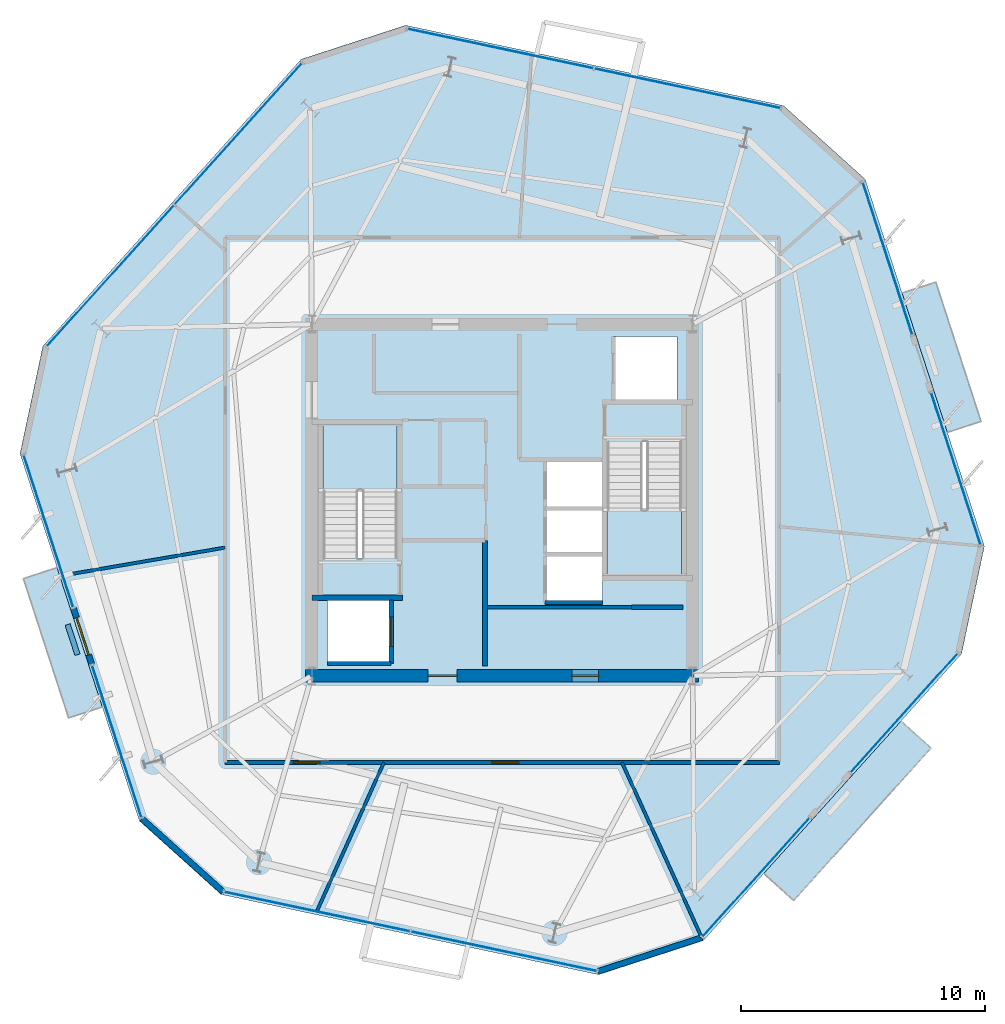
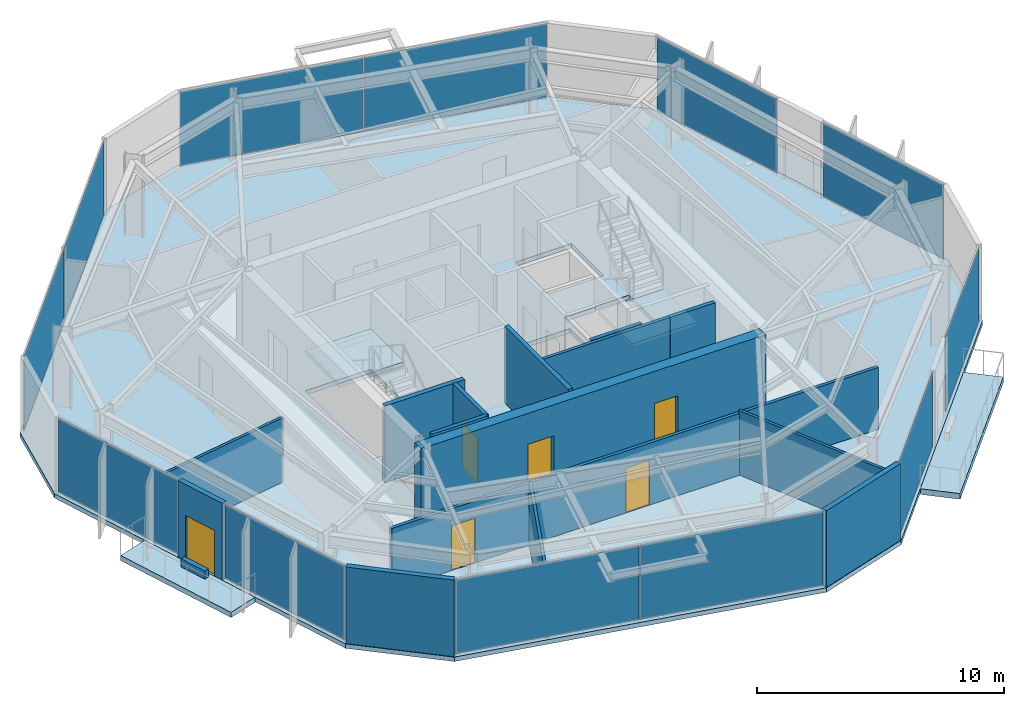
# One storey, part 6 of 11: 16 walls, 12 plates, 6 doors, 6 slabs, 6 openings, 11 elements without a shape of their own.
"""IFC4 building model written with IfcOpenShell, lengths in metres."""

from ifc_helpers import new_model, si_unit, direction, frame, frame_2d, origin, origin_2d, place, context, subcontext, project, spatial, polyline, rectangle, outline, extrude, material, layer, layer_set, type_object, element, fill, aggregate, save


model = new_model("IFC4")

# Units and contexts
model_context = context("Model", 3, precision=1e-05, world=origin(), true_north=direction((0.0, 1.0)))
body_context = subcontext(model_context, "Body", "Model", "MODEL_VIEW")
ifc_project = project(units=[si_unit("LENGTHUNIT", "METRE"), si_unit("AREAUNIT", "SQUARE_METRE"), si_unit("VOLUMEUNIT", "CUBIC_METRE"), si_unit("PLANEANGLEUNIT", "RADIAN"), si_unit("MASSUNIT", "GRAM", prefix="KILO")], contexts=[model_context])

# Site, building, storey
site_placement = place(None, origin())
site = spatial("IfcSite", under=ifc_project, at=site_placement, CompositionType="ELEMENT")
building_placement = place(site_placement, origin())
building = spatial("IfcBuilding", under=site, at=building_placement, Name="Kranzbogen Civic Tower", CompositionType="ELEMENT")
storey_placement = place(building_placement, frame((0.0, 0.0, 216.800048828125)))
storey = spatial("IfcBuildingStorey", under=building, at=storey_placement, Name="L52", CompositionType="ELEMENT", Elevation=216.800048828125)

# Slab
ifc_material_1 = material(Name="Concrete C40/50", Category="concrete")
ifc_layer_1 = layer(ifc_material_1, 0.219970703125, Name="Concrete C40/50")
ifc_layer_set_1 = layer_set([ifc_layer_1], Name="Concrete C40/50")
slab_type_1 = type_object("IfcSlabType", Name="Composite Upper Tower Floor Slab 220 mm", PredefinedType="FLOOR", material=ifc_layer_set_1)
slab_1_placement = place(storey_placement, frame((0.0, 0.0, -0.219970703125)))
element("IfcSlab", 1, at=slab_1_placement, inside=storey, type_object=slab_type_1, Name="L52 tower floor slab", PredefinedType="FLOOR", context=body_context, shape_type="SweptSolid", body=[
    extrude(outline(polyline([(36.52099609375, 41.157958984375), (21.047119140625, 44.447021484375), (16.76708984375, 43.055908203125), (6.181884765625, 31.300048828125), (5.2470703125, 26.89794921875), (10.135009765625, 11.85302734375), (13.47900390625, 8.842041015625), (28.952880859375, 5.552978515625), (33.23291015625, 6.944091796875), (43.818115234375, 18.699951171875), (44.7529296875, 23.10205078125), (39.864990234375, 38.14697265625), (36.52099609375, 41.157958984375)]), holes=[polyline([(17.85009765625, 20.89990234375), (20.449951171875, 20.89990234375), (20.449951171875, 18.300048828125), (17.85009765625, 18.300048828125), (17.85009765625, 20.89990234375)]), polyline([(29.10009765625, 22.699951171875), (29.10009765625, 20.800048828125), (26.75, 20.800048828125), (26.75, 22.699951171875), (29.10009765625, 22.699951171875)]), polyline([(29.10009765625, 24.64990234375), (29.10009765625, 22.77490234375), (26.75, 22.77490234375), (26.75, 24.64990234375), (26.75, 24.675048828125), (26.75, 26.550048828125), (29.10009765625, 26.550048828125), (29.10009765625, 24.675048828125), (29.10009765625, 24.64990234375)]), polyline([(29.300048828125, 27.340087890625), (30.75, 27.340087890625), (30.75, 27.39990234375), (32.35009765625, 27.39990234375), (32.35009765625, 21.89990234375), (29.300048828125, 21.89990234375), (29.300048828125, 27.340087890625)]), polyline([(20.699951171875, 22.659912109375), (19.25, 22.659912109375), (19.25, 22.60009765625), (17.64990234375, 22.60009765625), (17.64990234375, 28.10009765625), (20.699951171875, 28.10009765625), (20.699951171875, 22.659912109375)]), polyline([(32.14990234375, 31.699951171875), (32.14990234375, 29.10009765625), (29.550048828125, 29.10009765625), (29.550048828125, 31.699951171875), (32.14990234375, 31.699951171875)])]), origin(), (0.0, 0.0, 1.0), 0.219970703125),
])

# Curtain wall, plates
ifc_material_2 = material(Name="Pale Anodised Aluminium", Category="aluminium")
ifc_layer_2 = layer(ifc_material_2, 0.219970703125, Name="Pale Anodised Aluminium")
ifc_layer_set_2 = layer_set([ifc_layer_2], Name="Pale Anodised Aluminium")
curtain_wall_type = type_object("IfcCurtainWallType", Name="Zone 3 Stick Curtain Wall System CW-04", PredefinedType="USERDEFINED", material=ifc_layer_set_2)
curtain_wall_1_placement = place(storey_placement, origin())
curtain_wall_1 = element("IfcCurtainWall", 2, at=curtain_wall_1_placement, inside=storey, type_object=curtain_wall_type, Name="L52 curtain wall CW-L52-F1", ObjectType="STICK CURTAIN WALL", PredefinedType="USERDEFINED")
ifc_material_3 = material(Name="Low-E Triple Glazing Glass", Category="glass")
ifc_layer_3 = layer(ifc_material_3, 0.030029296875, Name="Low-E Triple Glazing Glass")
ifc_layer_set_3 = layer_set([ifc_layer_3], Name="Low-E Triple Glazing Glass")
plate_type = type_object("IfcPlateType", Name="Insulated Low-E Glazing Panel 30 mm", PredefinedType="CURTAIN_PANEL", material=ifc_layer_set_3)
plate_1_placement = place(storey_placement, frame((32.583984375, 41.863525390625, 0.06005859375), z_axis=(0.0, 0.0, 1.0), x_axis=(-0.978146714793, 0.2079158588, 0.0)))
plate_1 = element("IfcPlate", 3, at=plate_1_placement, type_object=plate_type, Name="CW-04 panel 1.1", PredefinedType="CURTAIN_PANEL", context=body_context, shape_type="SweptSolid", body=[
    extrude(rectangle(XDim=7.76416015625, YDim=0.028076171875, at=origin_2d()), origin(), (0.0, 0.0, 1.0), 3.659912109375),
])
plate_2_placement = place(storey_placement, frame((24.930908203125, 43.490478515625, 0.06005859375), z_axis=(0.0, 0.0, 1.0), x_axis=(-0.978146714793, 0.2079158588, 0.0)))
plate_2 = element("IfcPlate", 4, at=plate_2_placement, type_object=plate_type, Name="CW-04 panel 2.1", PredefinedType="CURTAIN_PANEL", context=body_context, shape_type="SweptSolid", body=[
    extrude(rectangle(XDim=7.76416015625, YDim=0.028076171875, at=origin_2d()), origin(), (0.0, 0.0, 1.0), 3.659912109375),
])
aggregate(curtain_wall_1, [plate_1, plate_2])

curtain_wall_2_placement = place(storey_placement, origin())
curtain_wall_2 = element("IfcCurtainWall", 5, at=curtain_wall_2_placement, inside=storey, type_object=curtain_wall_type, Name="L52 curtain wall CW-L52-F2", ObjectType="STICK CURTAIN WALL", PredefinedType="USERDEFINED")
plate_3_placement = place(storey_placement, frame((14.1875, 39.99951171875, 0.06005859375), z_axis=(0.0, 0.0, 1.0), x_axis=(-0.669115965392, -0.743158008002, 0.0)))
plate_3 = element("IfcPlate", 6, at=plate_3_placement, type_object=plate_type, Name="CW-04 panel 1.1", PredefinedType="CURTAIN_PANEL", context=body_context, shape_type="SweptSolid", body=[
    extrude(rectangle(XDim=7.763671875, YDim=0.028076171875, at=origin_2d()), origin(), (0.0, 0.0, 1.0), 3.659912109375),
])
plate_4_placement = place(storey_placement, frame((8.95263671875, 34.185302734375, 0.06005859375), z_axis=(0.0, 0.0, 1.0), x_axis=(-0.669115965392, -0.743158008002, 0.0)))
plate_4 = element("IfcPlate", 7, at=plate_4_placement, type_object=plate_type, Name="CW-04 panel 2.1", PredefinedType="CURTAIN_PANEL", context=body_context, shape_type="SweptSolid", body=[
    extrude(rectangle(XDim=7.763671875, YDim=0.028076171875, at=origin_2d()), origin(), (0.0, 0.0, 1.0), 3.659912109375),
])
aggregate(curtain_wall_2, [plate_3, plate_4])

# Curtain wall, plate
curtain_wall_3_placement = place(storey_placement, origin())
curtain_wall_3 = element("IfcCurtainWall", 8, at=curtain_wall_3_placement, inside=storey, type_object=curtain_wall_type, Name="L52 curtain wall CW-L52-F3-S1", ObjectType="STICK CURTAIN WALL", PredefinedType="USERDEFINED")
plate_5_placement = place(storey_placement, frame((6.4140625, 23.720947265625, 0.06005859375), z_axis=(0.0, 0.0, 1.0), x_axis=(0.309004509725, -0.951060572713, 0.0)))
plate_5 = element("IfcPlate", 9, at=plate_5_placement, type_object=plate_type, Name="CW-04 panel 1.1", PredefinedType="CURTAIN_PANEL", context=body_context, shape_type="SweptSolid", body=[
    extrude(rectangle(XDim=6.53369140625, YDim=0.028076171875, at=origin_2d()), origin(), (0.0, 0.0, 1.0), 3.659912109375),
])
aggregate(curtain_wall_3, [plate_5])

curtain_wall_4_placement = place(storey_placement, origin())
curtain_wall_4 = element("IfcCurtainWall", 10, at=curtain_wall_4_placement, inside=storey, type_object=curtain_wall_type, Name="L52 curtain wall CW-L52-F3-S2", ObjectType="STICK CURTAIN WALL", PredefinedType="USERDEFINED")
plate_6_placement = place(storey_placement, frame((9.2119140625, 15.110107421875, 0.06005859375), z_axis=(0.0, 0.0, 1.0), x_axis=(0.309004509725, -0.951060572713, 0.0)))
plate_6 = element("IfcPlate", 11, at=plate_6_placement, type_object=plate_type, Name="CW-04 panel 1.1", PredefinedType="CURTAIN_PANEL", context=body_context, shape_type="SweptSolid", body=[
    extrude(rectangle(XDim=6.53369140625, YDim=0.028076171875, at=origin_2d()), origin(), (0.0, 0.0, 1.0), 3.659912109375),
])
aggregate(curtain_wall_4, [plate_6])

# Curtain wall, plates
curtain_wall_5_placement = place(storey_placement, origin())
curtain_wall_5 = element("IfcCurtainWall", 12, at=curtain_wall_5_placement, inside=storey, type_object=curtain_wall_type, Name="L52 curtain wall CW-L52-F4", ObjectType="STICK CURTAIN WALL", PredefinedType="USERDEFINED")
plate_7_placement = place(storey_placement, frame((17.416015625, 8.136474609375, 0.06005859375), z_axis=(0.0, 0.0, 1.0), x_axis=(0.978146714793, -0.2079158588, 0.0)))
plate_7 = element("IfcPlate", 13, at=plate_7_placement, type_object=plate_type, Name="CW-04 panel 1.1", PredefinedType="CURTAIN_PANEL", context=body_context, shape_type="SweptSolid", body=[
    extrude(rectangle(XDim=7.76416015625, YDim=0.028076171875, at=origin_2d()), origin(), (0.0, 0.0, 1.0), 3.659912109375),
])
plate_8_placement = place(storey_placement, frame((25.069091796875, 6.509521484375, 0.06005859375), z_axis=(0.0, 0.0, 1.0), x_axis=(0.978146714793, -0.2079158588, 0.0)))
plate_8 = element("IfcPlate", 14, at=plate_8_placement, type_object=plate_type, Name="CW-04 panel 2.1", PredefinedType="CURTAIN_PANEL", context=body_context, shape_type="SweptSolid", body=[
    extrude(rectangle(XDim=7.76416015625, YDim=0.028076171875, at=origin_2d()), origin(), (0.0, 0.0, 1.0), 3.659912109375),
])
aggregate(curtain_wall_5, [plate_7, plate_8])

# Curtain wall, plate
curtain_wall_6_placement = place(storey_placement, origin())
curtain_wall_6 = element("IfcCurtainWall", 15, at=curtain_wall_6_placement, inside=storey, type_object=curtain_wall_type, Name="L52 curtain wall CW-L52-F5-S1", ObjectType="STICK CURTAIN WALL", PredefinedType="USERDEFINED")
plate_9_placement = place(storey_placement, frame((35.401611328125, 9.54345703125, 0.06005859375), z_axis=(0.0, 0.0, 1.0), x_axis=(0.669172266974, 0.743107311977, 0.0)))
plate_9 = element("IfcPlate", 16, at=plate_9_placement, type_object=plate_type, Name="CW-04 panel 1.1", PredefinedType="CURTAIN_PANEL", context=body_context, shape_type="SweptSolid", body=[
    extrude(rectangle(XDim=6.534423828125, YDim=0.028076171875, at=origin_2d()), origin(), (0.0, 0.0, 1.0), 3.659912109375),
])
aggregate(curtain_wall_6, [plate_9])

curtain_wall_7_placement = place(storey_placement, origin())
curtain_wall_7 = element("IfcCurtainWall", 17, at=curtain_wall_7_placement, inside=storey, type_object=curtain_wall_type, Name="L52 curtain wall CW-L52-F5-S2", ObjectType="STICK CURTAIN WALL", PredefinedType="USERDEFINED")
plate_10_placement = place(storey_placement, frame((41.458984375, 16.27197265625, 0.06005859375), z_axis=(0.0, 0.0, 1.0), x_axis=(0.669164008859, 0.743114748372, 0.0)))
plate_10 = element("IfcPlate", 18, at=plate_10_placement, type_object=plate_type, Name="CW-04 panel 1.1", PredefinedType="CURTAIN_PANEL", context=body_context, shape_type="SweptSolid", body=[
    extrude(rectangle(XDim=6.532958984375, YDim=0.028076171875, at=origin_2d()), origin(), (0.0, 0.0, 1.0), 3.659912109375),
])
aggregate(curtain_wall_7, [plate_10])

curtain_wall_8_placement = place(storey_placement, origin())
curtain_wall_8 = element("IfcCurtainWall", 19, at=curtain_wall_8_placement, inside=storey, type_object=curtain_wall_type, Name="L52 curtain wall CW-L52-F6-S1", ObjectType="STICK CURTAIN WALL", PredefinedType="USERDEFINED")
plate_11_placement = place(storey_placement, frame((43.5859375, 26.279052734375, 0.06005859375), z_axis=(0.0, 0.0, 1.0), x_axis=(-0.309004509725, 0.951060572713, 0.0)))
plate_11 = element("IfcPlate", 20, at=plate_11_placement, type_object=plate_type, Name="CW-04 panel 1.1", PredefinedType="CURTAIN_PANEL", context=body_context, shape_type="SweptSolid", body=[
    extrude(rectangle(XDim=6.53369140625, YDim=0.028076171875, at=origin_2d()), origin(), (0.0, 0.0, 1.0), 3.659912109375),
])
aggregate(curtain_wall_8, [plate_11])

curtain_wall_9_placement = place(storey_placement, origin())
curtain_wall_9 = element("IfcCurtainWall", 21, at=curtain_wall_9_placement, inside=storey, type_object=curtain_wall_type, Name="L52 curtain wall CW-L52-F6-S2", ObjectType="STICK CURTAIN WALL", PredefinedType="USERDEFINED")
plate_12_placement = place(storey_placement, frame((40.7880859375, 34.889892578125, 0.06005859375), z_axis=(0.0, 0.0, 1.0), x_axis=(-0.309004509725, 0.951060572713, 0.0)))
plate_12 = element("IfcPlate", 22, at=plate_12_placement, type_object=plate_type, Name="CW-04 panel 1.1", PredefinedType="CURTAIN_PANEL", context=body_context, shape_type="SweptSolid", body=[
    extrude(rectangle(XDim=6.53369140625, YDim=0.028076171875, at=origin_2d()), origin(), (0.0, 0.0, 1.0), 3.659912109375),
])
aggregate(curtain_wall_9, [plate_12])

# Stair, slab
ifc_material_4 = material(Name="Precast concrete C40/50", Category="concrete")
stair_type_1 = type_object("IfcStairType", Name="Tower Core Pressurized Dogleg Stair 1450", PredefinedType="HALF_TURN_STAIR", material=ifc_material_4)
stair_1_placement = place(storey_placement, origin())
stair_1 = element("IfcStair", 23, at=stair_1_placement, inside=storey, type_object=stair_type_1, Name="L52 Tower Core Pressurized Stair 1", PredefinedType="HALF_TURN_STAIR")
ifc_layer_4 = layer(ifc_material_4, 0.199951171875, Name="Precast concrete C40/50")
ifc_layer_set_4 = layer_set([ifc_layer_4], Name="Precast concrete C40/50")
slab_type_2 = type_object("IfcSlabType", Name="Precast Concrete Stair Landing Slab 200 mm", PredefinedType="LANDING", material=ifc_layer_set_4)
slab_2_placement = place(storey_placement, frame((0.0, 0.0, 1.800048828125)))
slab_2 = element("IfcSlab", 24, at=slab_2_placement, type_object=slab_type_2, Name="ST-T1 landing 1", PredefinedType="LANDING", context=body_context, shape_type="SweptSolid", body=[
    extrude(outline(polyline([(20.699951171875, 25.39990234375), (20.699951171875, 28.10009765625), (17.64990234375, 28.10009765625), (17.64990234375, 25.39990234375), (20.699951171875, 25.39990234375)])), origin(), (0.0, 0.0, 1.0), 0.199951171875),
])
aggregate(stair_1, [slab_2])

stair_type_2 = type_object("IfcStairType", Name="Tower Core Secondary Dogleg Stair 1450", PredefinedType="HALF_TURN_STAIR", material=ifc_material_4)
stair_2_placement = place(storey_placement, origin())
stair_2 = element("IfcStair", 25, at=stair_2_placement, inside=storey, type_object=stair_type_2, Name="L52 Tower Core Pressurized Stair 2", PredefinedType="HALF_TURN_STAIR")
slab_3_placement = place(storey_placement, frame((0.0, 0.0, 1.800048828125)))
slab_3 = element("IfcSlab", 26, at=slab_3_placement, type_object=slab_type_2, Name="ST-T2 landing 1", PredefinedType="LANDING", context=body_context, shape_type="SweptSolid", body=[
    extrude(outline(polyline([(29.300048828125, 24.60009765625), (29.300048828125, 21.89990234375), (32.35009765625, 21.89990234375), (32.35009765625, 24.60009765625), (29.300048828125, 24.60009765625)])), origin(), (0.0, 0.0, 1.0), 0.199951171875),
])
aggregate(stair_2, [slab_3])

# Slabs
ifc_layer_5 = layer(ifc_material_1, 0.280029296875, Name="Concrete C40/50")
ifc_layer_set_5 = layer_set([ifc_layer_5], Name="Concrete C40/50")
slab_type_3 = type_object("IfcSlabType", Name="Spiral Terrace Cantilevered Slab 280 mm", PredefinedType="FLOOR", material=ifc_layer_set_5)
slab_4_placement = place(storey_placement, frame((0.0, 0.0, -0.280029296875)))
element("IfcSlab", 27, at=slab_4_placement, inside=storey, type_object=slab_type_3, Name="L52 cantilevered spiral terrace L52-ST", PredefinedType="FLOOR", context=body_context, shape_type="SweptSolid", body=[
    extrude(outline(polyline([(35.715087890625, 9.700927734375), (41.3359375, 15.943115234375), (42.56201171875, 14.839111328125), (36.94091796875, 8.596923828125), (35.715087890625, 9.700927734375)])), origin(), (0.0, 0.0, 1.0), 0.280029296875),
])
ifc_layer_6 = layer(ifc_material_1, 0.25, Name="Concrete C40/50")
ifc_layer_set_6 = layer_set([ifc_layer_6], Name="Concrete C40/50")
slab_type_4 = type_object("IfcSlabType", Name="Tree Balcony Cantilevered Slab 250 mm", PredefinedType="FLOOR", material=ifc_layer_set_6)
slab_5_placement = place(storey_placement, frame((0.0, 0.0, -0.25)))
element("IfcSlab", 28, at=slab_5_placement, inside=storey, type_object=slab_type_4, Name="L52 cantilevered tree balcony L52-TB1", PredefinedType="FLOOR", context=body_context, shape_type="SweptSolid", body=[
    extrude(outline(polyline([(43.236083984375, 27.77099609375), (41.382080078125, 33.47705078125), (42.760986328125, 33.925048828125), (44.614990234375, 28.218994140625), (43.236083984375, 27.77099609375)])), origin(), (0.0, 0.0, 1.0), 0.25),
])
slab_6_placement = place(storey_placement, frame((0.0, 0.0, -0.25)))
element("IfcSlab", 29, at=slab_6_placement, inside=storey, type_object=slab_type_4, Name="L52 cantilevered tree balcony L52-TB2", PredefinedType="FLOOR", context=body_context, shape_type="SweptSolid", body=[
    extrude(outline(polyline([(6.763916015625, 22.22900390625), (8.617919921875, 16.52294921875), (7.239013671875, 16.074951171875), (5.385009765625, 21.781005859375), (6.763916015625, 22.22900390625)])), origin(), (0.0, 0.0, 1.0), 0.25),
])

# Wall
ifc_material_5 = material(Name="Double-Stud Acoustic Gypsum Partition")
ifc_layer_7 = layer(ifc_material_5, 0.14990234375, Name="Double-Stud Acoustic Gypsum Partition")
ifc_layer_set_7 = layer_set([ifc_layer_7], Name="Double-Stud Acoustic Gypsum Partition")
wall_type_1 = type_object("IfcWallType", Name="Acoustic Corridor and Clinical Partition 150 mm", PredefinedType="PARTITIONING", material=ifc_layer_set_7)
wall_1_placement = place(storey_placement, frame((24.39990234375, 20.610107421875, 0.0), z_axis=(0.0, 0.0, 1.0), x_axis=(1.0, 0.0, 0.0)))
element("IfcWall", 30, at=wall_1_placement, inside=storey, type_object=wall_type_1, Name="L52 records zone North wall", PredefinedType="PARTITIONING", context=body_context, shape_type="SweptSolid", body=[
    extrude(rectangle(XDim=5.900146484375, YDim=0.14990234375, at=frame_2d((2.9501953125, 0.0))), origin(), (0.0, 0.0, 1.0), 3.780029296875),
])

# Wall, openings, doors
wall_2_placement = place(storey_placement, frame((36.35009765625, 14.25, 0.0), z_axis=(0.0, 0.0, 1.0), x_axis=(-1.0, 0.0, 0.0)))
wall_2 = element("IfcWall", 31, at=wall_2_placement, inside=storey, type_object=wall_type_1, Name="L52 corridor partition 03", PredefinedType="PARTITIONING", context=body_context, shape_type="SweptSolid", body=[
    extrude(rectangle(XDim=22.7001953125, YDim=0.14990234375, at=frame_2d((11.35009765625, 0.0))), origin(), (0.0, 0.0, 1.0), 3.050048828125),
])
opening_1_placement = place(wall_2_placement, frame((18.819091796875, 0.0, 0.0)))
opening_1 = element("IfcOpeningElement", 32, at=opening_1_placement, cuts=wall_2, Name="Opening D-COR60", PredefinedType="OPENING", context=body_context, shape_type="SweptSolid", body=[
    extrude(rectangle(XDim=1.10009765625, YDim=2.199951171875, at=frame_2d((0.550048828125, 1.10009765625))), frame((0.0, 0.0849609375, 0.0), z_axis=(0.0, -1.0, 0.0), x_axis=(1.0, 0.0, 0.0)), (0.0, 0.0, 1.0), 0.169921875),
])
opening_2_placement = place(wall_2_placement, frame((10.681884765625, 0.0, 0.0)))
opening_2 = element("IfcOpeningElement", 33, at=opening_2_placement, cuts=wall_2, Name="Opening D-COR60", PredefinedType="OPENING", context=body_context, shape_type="SweptSolid", body=[
    extrude(rectangle(XDim=1.10009765625, YDim=2.199951171875, at=frame_2d((0.550048828125, 1.10009765625))), frame((0.0, 0.0849609375, 0.0), z_axis=(0.0, -1.0, 0.0), x_axis=(1.0, 0.0, 0.0)), (0.0, 0.0, 1.0), 0.169921875),
])
ifc_material_6 = material(Name="Oak Timber and Fire Core", Category="wood")
door_type_1 = type_object("IfcDoorType", Name="Corridor Acoustic Fire Door 1100x2200", OperationType="NOTDEFINED", PredefinedType="DOOR", material=ifc_material_6)
door_1_placement = place(opening_1_placement, origin())
door_1 = element("IfcDoor", 34, at=door_1_placement, inside=storey, type_object=door_type_1, Name="L52 Delegates Sitting Lounge door", OperationType="SINGLE_SWING_RIGHT", OverallHeight=2.199951171875, OverallWidth=1.10009765625, PredefinedType="DOOR", context=body_context, shape_type="SweptSolid", body=[
    extrude(rectangle(XDim=1.10009765625, YDim=2.199951171875, at=frame_2d((0.550048828125, 1.10009765625))), frame((0.0, 0.02490234375, 0.0), z_axis=(0.0, -1.0, 0.0), x_axis=(1.0, 0.0, 0.0)), (0.0, 0.0, 1.0), 0.050048828125),
])
fill(opening_1, door_1)
door_2_placement = place(opening_2_placement, origin())
door_2 = element("IfcDoor", 35, at=door_2_placement, inside=storey, type_object=door_type_1, Name="L52 Executive Research Study door", OperationType="SINGLE_SWING_LEFT", OverallHeight=2.199951171875, OverallWidth=1.10009765625, PredefinedType="DOOR", context=body_context, shape_type="SweptSolid", body=[
    extrude(rectangle(XDim=1.10009765625, YDim=2.199951171875, at=frame_2d((0.550048828125, 1.10009765625))), frame((0.0, 0.02490234375, 0.0), z_axis=(0.0, -1.0, 0.0), x_axis=(1.0, 0.0, 0.0)), (0.0, 0.0, 1.0), 0.050048828125),
])
fill(opening_2, door_2)

# Walls
ifc_material_7 = material(Name="Insulated Metal-Stud Gypsum Partition")
ifc_layer_8 = layer(ifc_material_7, 0.125, Name="Insulated Metal-Stud Gypsum Partition")
ifc_layer_set_8 = layer_set([ifc_layer_8], Name="Insulated Metal-Stud Gypsum Partition")
wall_type_2 = type_object("IfcWallType", Name="Acoustic Inter-Room Partition 125 mm", PredefinedType="PARTITIONING", material=ifc_layer_set_8)
wall_3_placement = place(storey_placement, frame((13.64990234375, 23.051025390625, 0.0), z_axis=(0.0, 0.0, 1.0), x_axis=(-0.985592022729, -0.169140074298, 0.0)))
element("IfcWall", 36, at=wall_3_placement, inside=storey, type_object=wall_type_2, Name="L52 radial room partition 03", PredefinedType="PARTITIONING", context=body_context, shape_type="SweptSolid", body=[
    extrude(rectangle(XDim=6.727783203125, YDim=0.125, at=frame_2d((3.36376953125, 0.0))), origin(), (0.0, 0.0, 1.0), 3.179931640625),
])
wall_4_placement = place(storey_placement, frame((20.155029296875, 14.25, 0.0), z_axis=(0.0, 0.0, 1.0), x_axis=(-0.410903648805, -0.911678776433, 0.0)))
element("IfcWall", 37, at=wall_4_placement, inside=storey, type_object=wall_type_2, Name="L52 radial room partition 04", PredefinedType="PARTITIONING", context=body_context, shape_type="SweptSolid", body=[
    extrude(rectangle(XDim=6.685546875, YDim=0.125, at=frame_2d((3.3427734375, 0.0))), origin(), (0.0, 0.0, 1.0), 3.050048828125),
])
wall_5_placement = place(storey_placement, frame((29.902099609375, 14.25, 0.0), z_axis=(0.0, 0.0, 1.0), x_axis=(0.414791209968, -0.909916618231, 0.0)))
element("IfcWall", 38, at=wall_5_placement, inside=storey, type_object=wall_type_2, Name="L52 radial room partition 05", PredefinedType="PARTITIONING", context=body_context, shape_type="SweptSolid", body=[
    extrude(rectangle(XDim=7.87109375, YDim=0.125, at=frame_2d((3.935546875, 0.0))), origin(), (0.0, 0.0, 1.0), 3.179931640625),
])
ifc_material_8 = material(Name="Architectural Precast Terracotta Concrete C40/50", Category="masonry")
ifc_layer_9 = layer(ifc_material_8, 0.219970703125, Name="Architectural Precast Terracotta Concrete C40/50")
ifc_layer_set_9 = layer_set([ifc_layer_9], Name="Architectural Precast Terracotta Concrete C40/50")
wall_type_3 = type_object("IfcWallType", Name="Architectural Tree Planter Kerb Wall 220 mm", PredefinedType="USERDEFINED", material=ifc_layer_set_9)
wall_6_placement = place(storey_placement, frame((7.199951171875, 19.89990234375, 0.0), z_axis=(0.0, 0.0, 1.0), x_axis=(0.309400389293, -0.950931858287, 0.0)))
element("IfcWall", 39, at=wall_6_placement, inside=storey, type_object=wall_type_3, Name="L52 landscaped tree balcony planter L52-TB2", ObjectType="PLANTER_WALL", PredefinedType="USERDEFINED", context=body_context, shape_type="SweptSolid", body=[
    extrude(rectangle(XDim=1.299560546875, YDim=0.219970703125, at=frame_2d((0.64990234375, 0.0))), origin(), (0.0, 0.0, 1.0), 0.39990234375),
])

# Wall, openings, doors
ifc_material_9 = material(Name="Concrete C45/55", Category="concrete")
ifc_layer_10 = layer(ifc_material_9, 0.5, Name="Concrete C45/55")
ifc_layer_set_10 = layer_set([ifc_layer_10], Name="Concrete C45/55")
wall_type_4 = type_object("IfcWallType", Name="Central Core Shear Wall 500 mm", PredefinedType="SHEAR", material=ifc_layer_set_10)
wall_7_placement = place(storey_placement, frame((16.949951171875, 17.800048828125, 0.0), z_axis=(0.0, 0.0, 1.0), x_axis=(1.0, 0.0, 0.0)))
wall_7 = element("IfcWall", 40, at=wall_7_placement, inside=storey, type_object=wall_type_4, Name="L52 central core South shear wall", PredefinedType="SHEAR", context=body_context, shape_type="SweptSolid", body=[
    extrude(rectangle(XDim=16.10009765625, YDim=0.5, at=frame_2d((8.050048828125, 0.0))), origin(), (0.0, 0.0, 1.0), 3.780029296875),
])
opening_3_placement = place(wall_7_placement, frame((5.0, 0.0, 0.0)))
opening_3 = element("IfcOpeningElement", 41, at=opening_3_placement, cuts=wall_7, Name="Opening D-EX120", PredefinedType="OPENING", context=body_context, shape_type="SweptSolid", body=[
    extrude(rectangle(XDim=1.199951171875, YDim=2.25, at=frame_2d((0.60009765625, 1.125))), frame((0.0, 0.260009765625, 0.0), z_axis=(0.0, -1.0, 0.0), x_axis=(1.0, 0.0, 0.0)), (0.0, 0.0, 1.0), 0.52001953125),
])
opening_4_placement = place(wall_7_placement, frame((10.89990234375, 0.0, 0.0)))
opening_4 = element("IfcOpeningElement", 42, at=opening_4_placement, cuts=wall_7, Name="Opening D-COR60", PredefinedType="OPENING", context=body_context, shape_type="SweptSolid", body=[
    extrude(rectangle(XDim=1.10009765625, YDim=2.199951171875, at=frame_2d((0.550048828125, 1.10009765625))), frame((0.0, 0.260009765625, 0.0), z_axis=(0.0, -1.0, 0.0), x_axis=(1.0, 0.0, 0.0)), (0.0, 0.0, 1.0), 0.52001953125),
])
door_3_placement = place(opening_4_placement, origin())
door_3 = element("IfcDoor", 43, at=door_3_placement, inside=storey, type_object=door_type_1, Name="L52 REC1 archive room door", OperationType="SINGLE_SWING_RIGHT", OverallHeight=2.199951171875, OverallWidth=1.10009765625, PredefinedType="DOOR", context=body_context, shape_type="SweptSolid", body=[
    extrude(rectangle(XDim=1.10009765625, YDim=2.199951171875, at=frame_2d((0.550048828125, 1.10009765625))), frame((0.0, 0.02490234375, 0.0), z_axis=(0.0, -1.0, 0.0), x_axis=(1.0, 0.0, 0.0)), (0.0, 0.0, 1.0), 0.050048828125),
])
fill(opening_4, door_3)
ifc_material_10 = material(Name="Steel S355", Category="steel")
door_type_2 = type_object("IfcDoorType", Name="Exit Passageway Fire Door 1200x2250", OperationType="NOTDEFINED", PredefinedType="DOOR", material=ifc_material_10)
door_4_placement = place(opening_3_placement, origin())
door_4 = element("IfcDoor", 44, at=door_4_placement, inside=storey, type_object=door_type_2, Name="L52 West firefighting lobby corridor door", OperationType="SINGLE_SWING_LEFT", OverallHeight=2.25, OverallWidth=1.199951171875, PredefinedType="DOOR", context=body_context, shape_type="SweptSolid", body=[
    extrude(rectangle(XDim=1.199951171875, YDim=2.25, at=frame_2d((0.60009765625, 1.125))), frame((0.0, 0.02490234375, 0.0), z_axis=(0.0, -1.0, 0.0), x_axis=(1.0, 0.0, 0.0)), (0.0, 0.0, 1.0), 0.050048828125),
])
fill(opening_3, door_4)

# Walls
ifc_layer_11 = layer(ifc_material_9, 0.219970703125, Name="Concrete C45/55")
ifc_layer_set_11 = layer_set([ifc_layer_11], Name="Concrete C45/55")
wall_type_5 = type_object("IfcWallType", Name="Core Internal Stair Structural Wall 220 mm", PredefinedType="SOLIDWALL", material=ifc_layer_set_11)
wall_8_placement = place(storey_placement, frame((17.199951171875, 20.989990234375, 0.0), z_axis=(0.0, 0.0, 1.0), x_axis=(1.0, 0.0, 0.0)))
element("IfcWall", 45, at=wall_8_placement, inside=storey, type_object=wall_type_5, Name="L52 ST-T1 South structural stair wall", PredefinedType="SOLIDWALL", context=body_context, shape_type="SweptSolid", body=[
    extrude(rectangle(XDim=3.719970703125, YDim=0.219970703125, at=frame_2d((1.85986328125, 0.0))), origin(), (0.0, 0.0, 1.0), 3.780029296875),
])
ifc_material_11 = material(Name="Gypsum Fireboard and Concrete Block", Category="concrete")
ifc_layer_12 = layer(ifc_material_11, 0.199951171875, Name="Gypsum Fireboard and Concrete Block")
ifc_layer_set_12 = layer_set([ifc_layer_12], Name="Gypsum Fireboard and Concrete Block")
wall_type_6 = type_object("IfcWallType", Name="Fire-Rated Exit Passageway and Stair Wall 200 mm", PredefinedType="PARTITIONING", material=ifc_layer_set_12)
wall_9_placement = place(storey_placement, frame((24.300048828125, 18.199951171875, 0.0), z_axis=(0.0, 0.0, 1.0), x_axis=(0.0, 1.0, 0.0)))
element("IfcWall", 46, at=wall_9_placement, inside=storey, type_object=wall_type_6, Name="L52 West firefighting lobby East wall", PredefinedType="PARTITIONING", context=body_context, shape_type="SweptSolid", body=[
    extrude(rectangle(XDim=5.150146484375, YDim=0.199951171875, at=frame_2d((2.5751953125, 0.0))), origin(), (0.0, 0.0, 1.0), 3.780029296875),
])
ifc_material_12 = material(Name="Gypsum Fireboard Shaftliner")
ifc_layer_13 = layer(ifc_material_12, 0.175048828125, Name="Gypsum Fireboard Shaftliner")
ifc_layer_set_13 = layer_set([ifc_layer_13], Name="Gypsum Fireboard Shaftliner")
wall_type_7 = type_object("IfcWallType", Name="Fire-Rated Lift and Service Shaft Wall 175 mm", PredefinedType="PARTITIONING", material=ifc_layer_set_13)
wall_10_placement = place(storey_placement, frame((30.300048828125, 20.610107421875, 0.0), z_axis=(0.0, 0.0, 1.0), x_axis=(1.0, 0.0, 0.0)))
element("IfcWall", 47, at=wall_10_placement, inside=storey, type_object=wall_type_7, Name="L52 merged archive North wall", PredefinedType="PARTITIONING", context=body_context, shape_type="SweptSolid", body=[
    extrude(rectangle(XDim=2.099853515625, YDim=0.175048828125, at=frame_2d((1.0498046875, 0.0))), origin(), (0.0, 0.0, 1.0), 3.780029296875),
])
wall_11_placement = place(storey_placement, frame((26.75, 20.800048828125, 0.0), z_axis=(0.0, 0.0, 1.0), x_axis=(1.0, 0.0, 0.0)))
element("IfcWall", 48, at=wall_11_placement, inside=storey, type_object=wall_type_7, Name="L52 lift HP-01 side wall", PredefinedType="PARTITIONING", context=body_context, shape_type="SweptSolid", body=[
    extrude(rectangle(XDim=2.35009765625, YDim=0.175048828125, at=frame_2d((1.175048828125, 0.0))), origin(), (0.0, 0.0, 1.0), 3.780029296875),
])

# Wall, opening, door
wall_12_placement = place(storey_placement, frame((20.449951171875, 18.300048828125, 0.0), z_axis=(0.0, 0.0, 1.0), x_axis=(0.0, 1.0, 0.0)))
wall_12 = element("IfcWall", 49, at=wall_12_placement, inside=storey, type_object=wall_type_7, Name="L52 lift FF-01 landing wall", PredefinedType="PARTITIONING", context=body_context, shape_type="SweptSolid", body=[
    extrude(rectangle(XDim=2.599853515625, YDim=0.175048828125, at=frame_2d((1.2998046875, 0.0))), origin(), (0.0, 0.0, 1.0), 3.780029296875),
])
opening_5_placement = place(wall_12_placement, frame((0.699951171875, 0.0, 0.0)))
opening_5 = element("IfcOpeningElement", 50, at=opening_5_placement, cuts=wall_12, Name="Opening LD-FF-01", PredefinedType="OPENING", context=body_context, shape_type="SweptSolid", body=[
    extrude(rectangle(XDim=1.199951171875, YDim=2.199951171875, at=frame_2d((0.60009765625, 1.10009765625))), frame((0.0, 0.09765625, 0.0), z_axis=(0.0, -1.0, 0.0), x_axis=(1.0, 0.0, 0.0)), (0.0, 0.0, 1.0), 0.195068359375),
])
door_type_3 = type_object("IfcDoorType", Name="Firefighting and Stretcher Lift Sliding Landing Door 1200x2200", OperationType="DOUBLE_DOOR_SLIDING", PredefinedType="DOOR", material=ifc_material_2)
door_5_placement = place(opening_5_placement, origin())
door_5 = element("IfcDoor", 51, at=door_5_placement, inside=storey, type_object=door_type_3, Name="L52 lift FF-01 sliding landing door", OperationType="DOUBLE_DOOR_SLIDING", OverallHeight=2.199951171875, OverallWidth=1.199951171875, PredefinedType="DOOR", context=body_context, shape_type="SweptSolid", body=[
    extrude(rectangle(XDim=1.199951171875, YDim=2.199951171875, at=frame_2d((0.60009765625, 1.10009765625))), frame((0.0, 0.02490234375, 0.0), z_axis=(0.0, -1.0, 0.0), x_axis=(1.0, 0.0, 0.0)), (0.0, 0.0, 1.0), 0.050048828125),
])
fill(opening_5, door_5)

# Wall
wall_13_placement = place(storey_placement, frame((17.85009765625, 18.300048828125, 0.0), z_axis=(0.0, 0.0, 1.0), x_axis=(1.0, 0.0, 0.0)))
element("IfcWall", 52, at=wall_13_placement, inside=storey, type_object=wall_type_7, Name="L52 lift FF-01 side wall", PredefinedType="PARTITIONING", context=body_context, shape_type="SweptSolid", body=[
    extrude(rectangle(XDim=2.599853515625, YDim=0.175048828125, at=frame_2d((1.2998046875, 0.0))), origin(), (0.0, 0.0, 1.0), 3.780029296875),
])

# Wall, opening, door
ifc_layer_14 = layer(ifc_material_2, 0.239990234375, Name="Pale Anodised Aluminium")
ifc_layer_set_14 = layer_set([ifc_layer_14], Name="Pale Anodised Aluminium")
wall_type_8 = type_object("IfcWallType", Name="Insulated Aluminium Facade Portal Wall 240 mm", PredefinedType="STANDARD", material=ifc_layer_set_14)
wall_14_placement = place(storey_placement, frame((7.44189453125, 20.556884765625, 0.0), z_axis=(0.0, 0.0, 1.0), x_axis=(0.309171157328, -0.951006411901, 0.0)))
wall_14 = element("IfcWall", 53, at=wall_14_placement, inside=storey, type_object=wall_type_8, Name="L52 exterior entrance portal wall 1", PredefinedType="STANDARD", context=body_context, shape_type="SweptSolid", body=[
    extrude(rectangle(XDim=2.400634765625, YDim=0.239990234375, at=frame_2d((1.2001953125, 0.0))), origin(), (0.0, 0.0, 1.0), 3.780029296875),
])
opening_6_placement = place(wall_14_placement, frame((0.39990234375, 0.0, 0.0)))
opening_6 = element("IfcOpeningElement", 54, at=opening_6_placement, cuts=wall_14, Name="Opening D-TER", PredefinedType="OPENING", context=body_context, shape_type="SweptSolid", body=[
    extrude(rectangle(XDim=1.60009765625, YDim=2.25, at=frame_2d((0.800048828125, 1.125))), frame((0.0, 0.1298828125, 0.0), z_axis=(0.0, -1.0, 0.0), x_axis=(1.0, 0.0, 0.0)), (0.0, 0.0, 1.0), 0.260009765625),
])
ifc_material_13 = material(Name="Anodised Bronze and Triple Glass", Category="glass")
door_type_4 = type_object("IfcDoorType", Name="Glazed Terrace and Balcony Double Door 1600x2250", OperationType="DOUBLE_DOOR_SINGLE_SWING", PredefinedType="DOOR", material=ifc_material_13)
door_6_placement = place(opening_6_placement, frame((1.60009765625, 0.0, 0.0), z_axis=(0.0, 0.0, 1.0), x_axis=(-1.0, 0.0, 0.0)))
door_6 = element("IfcDoor", 55, at=door_6_placement, inside=storey, type_object=door_type_4, Name="L52 tree balcony access door L52-TB2", OperationType="DOUBLE_DOOR_SINGLE_SWING", OverallHeight=2.25, OverallWidth=1.60009765625, PredefinedType="DOOR", context=body_context, shape_type="SweptSolid", body=[
    extrude(rectangle(XDim=1.60009765625, YDim=2.25, at=frame_2d((0.800048828125, 1.125))), frame((0.0, 0.02490234375, 0.0), z_axis=(0.0, -1.0, 0.0), x_axis=(1.0, 0.0, 0.0)), (0.0, 0.0, 1.0), 0.050048828125),
])
fill(opening_6, door_6)

# Walls
wall_15_placement = place(storey_placement, frame((10.239990234375, 11.946044921875, 0.0), z_axis=(0.0, 0.0, 1.0), x_axis=(0.74307946371, -0.669203190827, 0.0)))
element("IfcWall", 56, at=wall_15_placement, inside=storey, type_object=wall_type_8, Name="L52 chamfered corner facade spandrel 3", PredefinedType="STANDARD", context=body_context, shape_type="SweptSolid", body=[
    extrude(rectangle(XDim=4.468017578125, YDim=0.239990234375, at=frame_2d((2.23388671875, 0.0))), origin(), (0.0, 0.0, 1.0), 3.780029296875),
])
wall_16_placement = place(storey_placement, frame((28.925048828125, 5.68994140625, 0.0), z_axis=(0.0, 0.0, 1.0), x_axis=(0.95104370386, 0.309056424215, 0.0)))
element("IfcWall", 57, at=wall_16_placement, inside=storey, type_object=wall_type_8, Name="L52 chamfered corner facade spandrel 4", PredefinedType="STANDARD", context=body_context, shape_type="SweptSolid", body=[
    extrude(rectangle(XDim=4.46875, YDim=0.239990234375, at=frame_2d((2.234375, 0.0))), origin(), (0.0, 0.0, 1.0), 3.780029296875),
])

save(model, "model.ifc")
